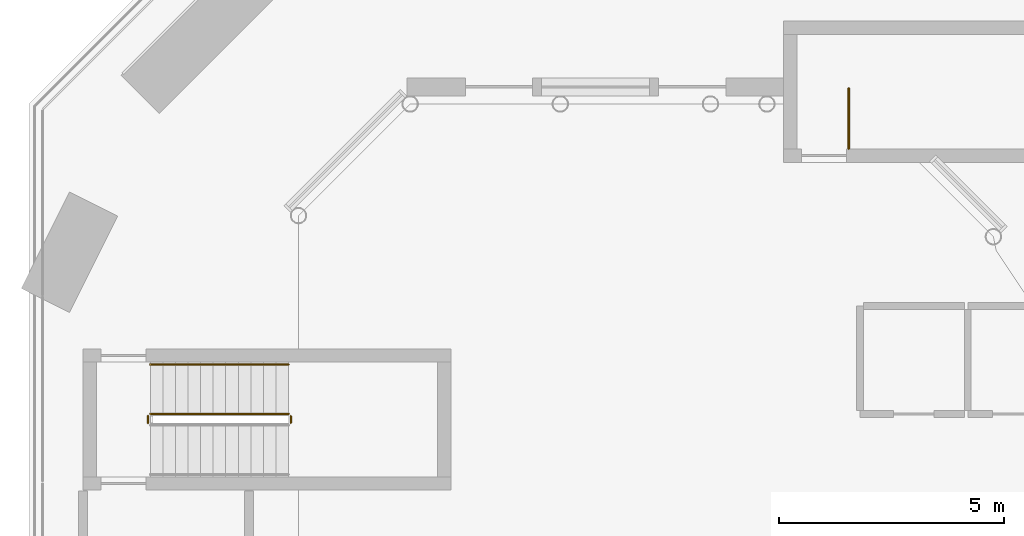
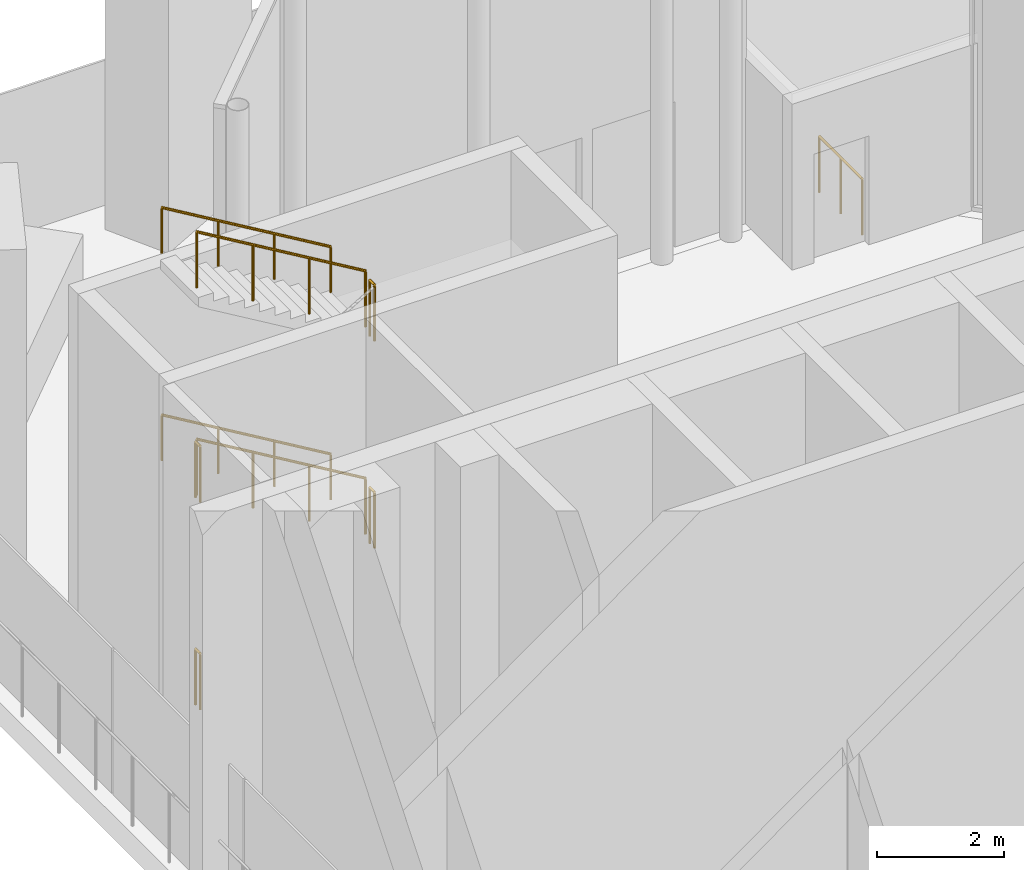
# One storey, part 13 of 14: 9 railings.
"""IFC4 building model written with IfcOpenShell, lengths in metres."""

from ifc_helpers import new_model, si_unit, direction, frame, origin, origin_2d, place, context, subcontext, project, spatial, circle, extrude, material, type_object, element, save


model = new_model("IFC4")

# Units and contexts
model_context = context("Model", 3, precision=1e-05, world=origin(), true_north=direction((0.0, 1.0)))
body_context = subcontext(model_context, "Body", "Model", "MODEL_VIEW")
ifc_project = project(units=[si_unit("LENGTHUNIT", "METRE"), si_unit("AREAUNIT", "SQUARE_METRE"), si_unit("VOLUMEUNIT", "CUBIC_METRE"), si_unit("PLANEANGLEUNIT", "RADIAN"), si_unit("MASSUNIT", "GRAM", prefix="KILO")], contexts=[model_context])

# Site, building, storey
site_placement = place(None, origin())
site = spatial("IfcSite", under=ifc_project, at=site_placement, CompositionType="ELEMENT")
building_placement = place(site_placement, origin())
building = spatial("IfcBuilding", under=site, at=building_placement, Name="Brevane Broadcast Tower", CompositionType="ELEMENT")
storey_placement = place(building_placement, frame((0.0, 0.0, 256.199951171875)))
storey = spatial("IfcBuildingStorey", under=building, at=storey_placement, Name="L65", CompositionType="ELEMENT", Elevation=256.199951171875)

# Railings
ifc_material = material(Name="Steel S355", Category="steel")
railing_type_1 = type_object("IfcRailingType", Name="Exit stair guard", PredefinedType="GUARDRAIL", material=ifc_material)
railing_1_placement = place(storey_placement, frame((4.929931640625, 21.39990234375, 2.0)))
element("IfcRailing", 1, at=railing_1_placement, inside=storey, type_object=railing_type_1, Name="L65 ST-1 stair guard 2", PredefinedType="GUARDRAIL", context=body_context, shape_type="SweptSolid", body=[
    extrude(circle(Radius=0.02392578125, at=origin_2d()), frame((0.0, 0.0, 1.076171875), z_axis=(0.0, 1.0, 0.0), x_axis=(-1.0, 0.0, 0.0)), (0.0, 0.0, 1.0), 0.150146484375),
    extrude(circle(Radius=0.02099609375, at=origin_2d()), origin(), (0.0, 0.0, 1.0), 1.052001953125),
    extrude(circle(Radius=0.02099609375, at=origin_2d()), frame((0.0, 0.150146484375, 0.0)), (0.0, 0.0, 1.0), 1.052001953125),
])
railing_2_placement = place(storey_placement, frame((4.8798828125, 21.60009765625, 2.166748046875)))
element("IfcRailing", 2, at=railing_2_placement, inside=storey, type_object=railing_type_1, Name="L65 ST-1 stair guard 3", PredefinedType="GUARDRAIL", context=body_context, shape_type="SweptSolid", body=[
    extrude(circle(Radius=0.02392578125, at=origin_2d()), frame((0.0, 0.0, 1.076171875), z_axis=(-0.859290745958, 0.0, 0.51148745235), x_axis=(0.0, -1.0, 0.0)), (0.0, 0.0, 1.0), 3.584228515625),
    extrude(circle(Radius=0.02099609375, at=origin_2d()), origin(), (0.0, 0.0, 1.0), 1.052001953125),
    extrude(circle(Radius=0.02099609375, at=origin_2d()), frame((-1.026611328125, 0.0, 0.611083984375)), (0.0, 0.0, 1.0), 1.052001953125),
    extrude(circle(Radius=0.02099609375, at=origin_2d()), frame((-2.05322265625, 0.0, 1.22216796875)), (0.0, 0.0, 1.0), 1.052001953125),
    extrude(circle(Radius=0.02099609375, at=origin_2d()), frame((-3.079833984375, 0.0, 1.833251953125)), (0.0, 0.0, 1.0), 1.052001953125),
])
for number, where, name in (
    (3, (1.75, 21.39990234375, 4.0), "L65 ST-1 stair guard 4"),
    (4, (4.929931640625, 21.39990234375, 6.0), "L65 ST-1 stair guard 6"),
):
    element("IfcRailing", number, at=place(storey_placement, frame(where)), inside=storey, type_object=railing_type_1, Name=name, PredefinedType="GUARDRAIL", context=body_context, shape_type="SweptSolid", body=[
        extrude(circle(Radius=0.02392578125, at=origin_2d()), frame((0.0, 0.0, 1.076171875), z_axis=(0.0, 1.0, 0.0), x_axis=(-1.0, 0.0, 0.0)), (0.0, 0.0, 1.0), 0.150146484375),
        extrude(circle(Radius=0.02099609375, at=origin_2d()), origin(), (0.0, 0.0, 1.0), 1.052001953125),
        extrude(circle(Radius=0.02099609375, at=origin_2d()), frame((0.0, 0.150146484375, 0.0)), (0.0, 0.0, 1.0), 1.052001953125),
    ])
railing_3_placement = place(storey_placement, frame((4.8798828125, 21.60009765625, 6.166748046875)))
element("IfcRailing", 5, at=railing_3_placement, inside=storey, type_object=railing_type_1, Name="L65 ST-1 stair guard 7", PredefinedType="GUARDRAIL", context=body_context, shape_type="SweptSolid", body=[
    extrude(circle(Radius=0.02392578125, at=origin_2d()), frame((0.0, 0.0, 1.076171875), z_axis=(-0.859290745958, 0.0, 0.51148745235), x_axis=(0.0, -1.0, 0.0)), (0.0, 0.0, 1.0), 3.584228515625),
    extrude(circle(Radius=0.02099609375, at=origin_2d()), origin(), (0.0, 0.0, 1.0), 1.052001953125),
    extrude(circle(Radius=0.02099609375, at=origin_2d()), frame((-1.026611328125, 0.0, 0.611083984375)), (0.0, 0.0, 1.0), 1.052001953125),
    extrude(circle(Radius=0.02099609375, at=origin_2d()), frame((-2.05322265625, 0.0, 1.22216796875)), (0.0, 0.0, 1.0), 1.052001953125),
    extrude(circle(Radius=0.02099609375, at=origin_2d()), frame((-3.079833984375, 0.0, 1.833251953125)), (0.0, 0.0, 1.0), 1.052001953125),
])
railing_4_placement = place(storey_placement, frame((1.75, 21.39990234375, 0.0)))
element("IfcRailing", 6, at=railing_4_placement, inside=storey, type_object=railing_type_1, Name="L65 ST-1 stair guard 8", PredefinedType="GUARDRAIL", context=body_context, shape_type="SweptSolid", body=[
    extrude(circle(Radius=0.02392578125, at=origin_2d()), frame((0.0, 0.0, 1.076171875), z_axis=(0.0, 1.0, 0.0), x_axis=(-1.0, 0.0, 0.0)), (0.0, 0.0, 1.0), 0.150146484375),
    extrude(circle(Radius=0.02099609375, at=origin_2d()), origin(), (0.0, 0.0, 1.0), 1.052001953125),
    extrude(circle(Radius=0.02099609375, at=origin_2d()), frame((0.0, 0.150146484375, 0.0)), (0.0, 0.0, 1.0), 1.052001953125),
])
railing_5_placement = place(storey_placement, frame((17.35009765625, 27.5, 0.0)))
element("IfcRailing", 7, at=railing_5_placement, inside=storey, type_object=railing_type_1, Name="L65 ST-3 top well guard 1", PredefinedType="GUARDRAIL", context=body_context, shape_type="SweptSolid", body=[
    extrude(circle(Radius=0.02392578125, at=origin_2d()), frame((0.0, 0.0, 1.076171875), z_axis=(0.0, 1.0, 0.0), x_axis=(-1.0, 0.0, 0.0)), (0.0, 0.0, 1.0), 1.35009765625),
    extrude(circle(Radius=0.02099609375, at=origin_2d()), origin(), (0.0, 0.0, 1.0), 1.052001953125),
    extrude(circle(Radius=0.02099609375, at=origin_2d()), frame((0.0, 0.675048828125, 0.0)), (0.0, 0.0, 1.0), 1.052001953125),
    extrude(circle(Radius=0.02099609375, at=origin_2d()), frame((0.0, 1.35009765625, 0.0)), (0.0, 0.0, 1.0), 1.052001953125),
])
railing_type_2 = type_object("IfcRailingType", Name="Exit stair handrail", PredefinedType="HANDRAIL", material=ifc_material)
for number, where, name in (
    (8, (4.8798828125, 22.699951171875, 2.166748046875), "L65 ST-1 stair handrail 2"),
    (9, (4.8798828125, 22.699951171875, 6.166748046875), "L65 ST-1 stair handrail 4"),
):
    element("IfcRailing", number, at=place(storey_placement, frame(where)), inside=storey, type_object=railing_type_2, Name=name, PredefinedType="HANDRAIL", context=body_context, shape_type="SweptSolid", body=[
        extrude(circle(Radius=0.02392578125, at=origin_2d()), frame((0.0, 0.0, 0.8759765625), z_axis=(-0.859290745958, 0.0, 0.51148745235), x_axis=(0.0, -1.0, 0.0)), (0.0, 0.0, 1.0), 3.584228515625),
        extrude(circle(Radius=0.02099609375, at=origin_2d()), origin(), (0.0, 0.0, 1.0), 0.851806640625),
        extrude(circle(Radius=0.02099609375, at=origin_2d()), frame((-1.026611328125, 0.0, 0.611083984375)), (0.0, 0.0, 1.0), 0.851806640625),
        extrude(circle(Radius=0.02099609375, at=origin_2d()), frame((-2.05322265625, 0.0, 1.22216796875)), (0.0, 0.0, 1.0), 0.851806640625),
        extrude(circle(Radius=0.02099609375, at=origin_2d()), frame((-3.079833984375, 0.0, 1.833251953125)), (0.0, 0.0, 1.0), 0.851806640625),
    ])

save(model, "model.ifc")
